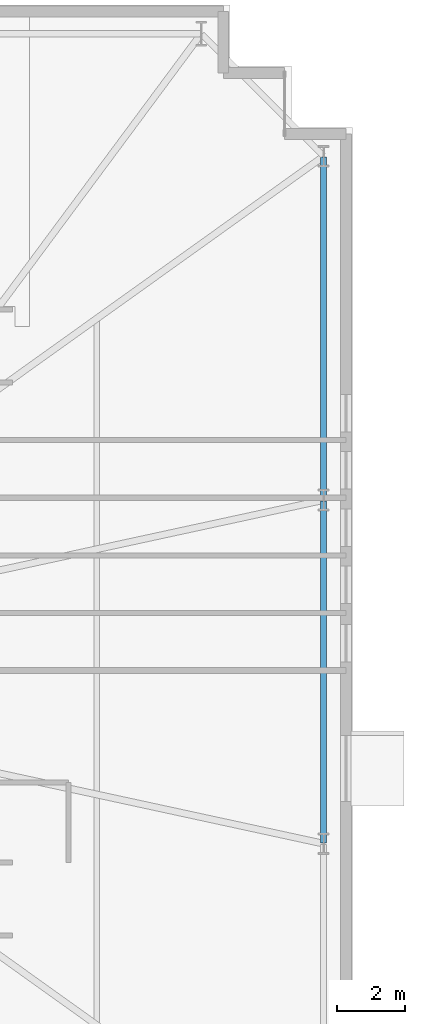
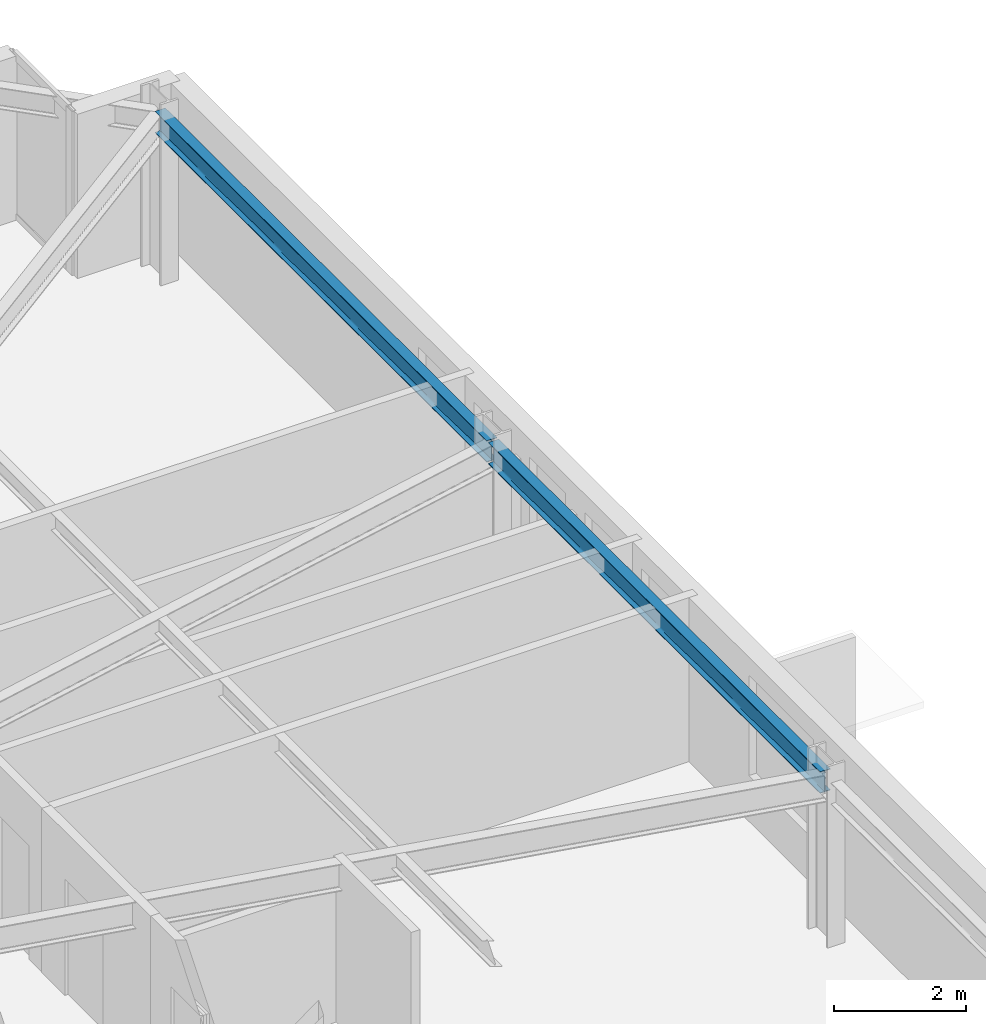
# One storey, part 11 of 22: 2 beams.
"""IFC4 building model written with IfcOpenShell, lengths in metres."""

from ifc_helpers import new_model, si_unit, direction, frame, origin, origin_2d, place, context, subcontext, project, spatial, i_section, extrude, material, material_profile, profile_set, type_object, element, save


model = new_model("IFC4")

# Units and contexts
model_context = context("Model", 3, precision=1e-05, world=origin(), true_north=direction((0.0, 1.0)))
body_context = subcontext(model_context, "Body", "Model", "MODEL_VIEW")
ifc_project = project(units=[si_unit("LENGTHUNIT", "METRE"), si_unit("AREAUNIT", "SQUARE_METRE"), si_unit("VOLUMEUNIT", "CUBIC_METRE"), si_unit("PLANEANGLEUNIT", "RADIAN"), si_unit("MASSUNIT", "GRAM", prefix="KILO")], contexts=[model_context])

# Site, building, storey
site_placement = place(None, origin())
site = spatial("IfcSite", under=ifc_project, at=site_placement, CompositionType="ELEMENT")
building_placement = place(site_placement, origin())
building = spatial("IfcBuilding", under=site, at=building_placement, Name="Qobustan Lattice House", CompositionType="ELEMENT")
storey_placement = place(building_placement, frame((0.0, 0.0, 53.800048828125)))
storey = spatial("IfcBuildingStorey", under=building, at=storey_placement, Name="L14", CompositionType="ELEMENT", Elevation=53.800048828125)

# Beams
ifc_material = material(Name="Steel S355", Category="steel")
ifc_material_profile = material_profile(ifc_material, i_section(OverallWidth=0.179931640625, OverallDepth=0.39990234375, WebThickness=0.008544921875, FlangeThickness=0.013427734375, FilletRadius=0.02099609375, at=origin_2d()), Name="IPE400")
ifc_profile_set = profile_set([ifc_material_profile], Name="Steel S355")
beam_type = type_object("IfcBeamType", Name="BM-SPD-IPE400", PredefinedType="SPANDREL", material=ifc_profile_set)
beam_1_placement = place(storey_placement, frame((32.14990234375, -5.02490234375, 2.8349609375), z_axis=(0.0, 1.0, 0.0), x_axis=(-1.0, 0.0, 0.0)))
element("IfcBeam", 1, at=beam_1_placement, inside=storey, type_object=beam_type, Name="L14 perimeter spandrel E2-E3", PredefinedType="SPANDREL", context=body_context, shape_type="SweptSolid", body=[
    extrude(i_section(OverallWidth=0.179931640625, OverallDepth=0.39990234375, WebThickness=0.008544921875, FlangeThickness=0.013427734375, FilletRadius=0.02099609375, at=origin_2d()), origin(), (0.0, 0.0, 1.0), 10.0498046875),
])
beam_2_placement = place(storey_placement, frame((32.14990234375, 5.074951171875, 2.8349609375), z_axis=(0.0, 1.0, 0.0), x_axis=(-1.0, 0.0, 0.0)))
element("IfcBeam", 2, at=beam_2_placement, inside=storey, type_object=beam_type, Name="L14 perimeter spandrel E3-E4", PredefinedType="SPANDREL", context=body_context, shape_type="SweptSolid", body=[
    extrude(i_section(OverallWidth=0.179931640625, OverallDepth=0.39990234375, WebThickness=0.008544921875, FlangeThickness=0.013427734375, FilletRadius=0.02099609375, at=origin_2d()), origin(), (0.0, 0.0, 1.0), 10.050048828125),
])

save(model, "model.ifc")
